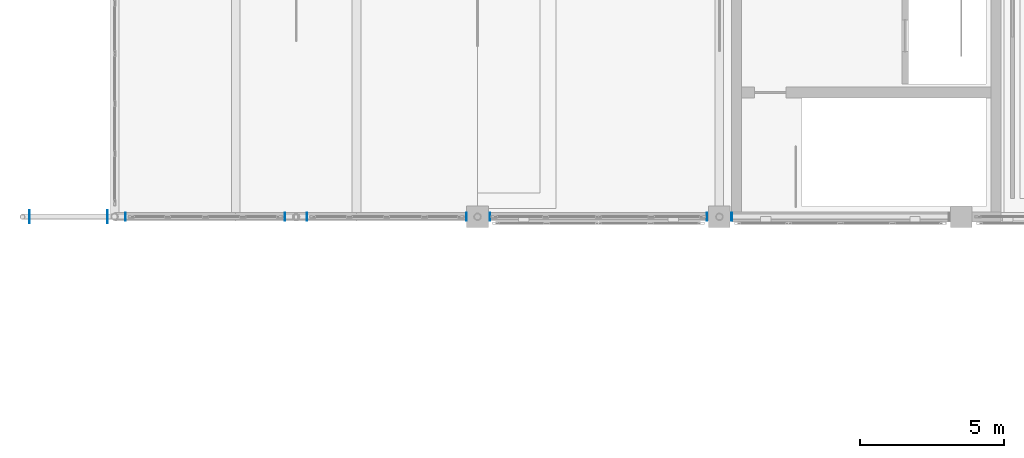
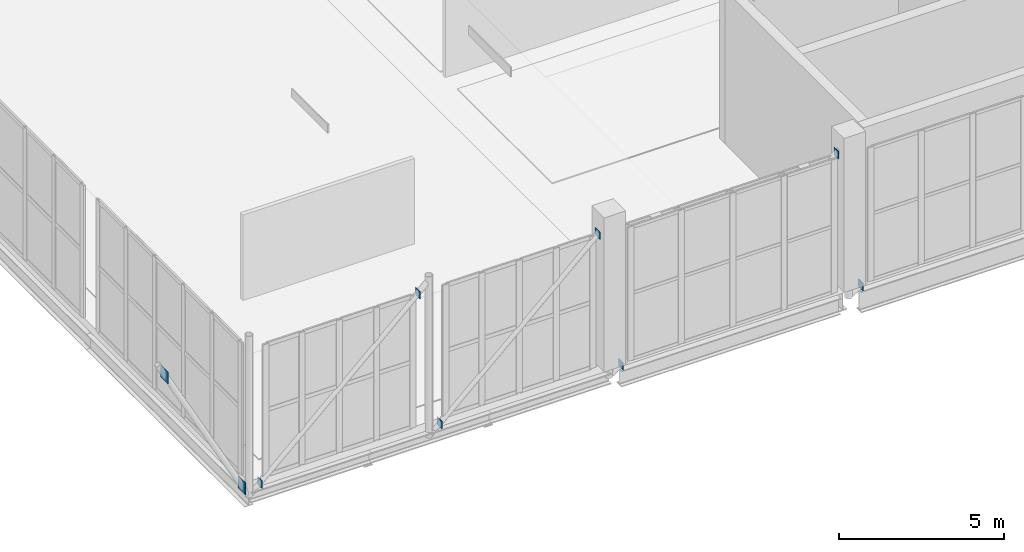
# One storey, part 34 of 49: 9 plates.
"""IFC4 building model written with IfcOpenShell, lengths in metres."""

from ifc_helpers import new_model, si_unit, direction, frame, origin, origin_2d, place, context, subcontext, project, spatial, rectangle, extrude, material, layer, layer_set, type_object, element, save


model = new_model("IFC4")

# Units and contexts
model_context = context("Model", 3, precision=1e-05, world=origin(), true_north=direction((0.0, 1.0)))
body_context = subcontext(model_context, "Body", "Model", "MODEL_VIEW")
ifc_project = project(units=[si_unit("LENGTHUNIT", "METRE"), si_unit("AREAUNIT", "SQUARE_METRE"), si_unit("VOLUMEUNIT", "CUBIC_METRE"), si_unit("PLANEANGLEUNIT", "RADIAN"), si_unit("MASSUNIT", "GRAM", prefix="KILO")], contexts=[model_context])

# Site, building, storey
site_placement = place(None, origin())
site = spatial("IfcSite", under=ifc_project, at=site_placement, CompositionType="ELEMENT")
building_placement = place(site_placement, origin())
building = spatial("IfcBuilding", under=site, at=building_placement, Name="Zulmaris Art Gallery", CompositionType="ELEMENT")
storey_placement = place(building_placement, frame((0.0, 0.0, 20.699951171875)))
storey = spatial("IfcBuildingStorey", under=building, at=storey_placement, Name="L04", CompositionType="ELEMENT", Elevation=20.699951171875)

# Plates
ifc_material = material(Name="Steel S355J2", Category="steel")
ifc_layer_1 = layer(ifc_material, 0.02001953125)
ifc_layer_set_1 = layer_set([ifc_layer_1], Name="Steel S355J2")
plate_type_1 = type_object("IfcPlateType", Name="PLT-CP01", PredefinedType="USERDEFINED", material=ifc_layer_set_1)
for number, where, z_axis, x_axis, name in (
    (1, (11.783447265625, 21.60009765625, -0.30615234375), (0.0, 0.0, 1.0), (1.0, 0.0, 0.0), "Hollow-section end cap plate 55"),
    (2, (17.31640625, 21.60009765625, 4.7587890625), (0.0, 0.0, 1.0), (1.0, 0.0, 0.0), "Hollow-section end cap plate 56"),
    (3, (18.08349609375, 21.60009765625, -0.30615234375), (0.0, 0.0, 1.0), (1.0, 0.0, 0.0), "Hollow-section end cap plate 57"),
    (4, (23.616455078125, 21.60009765625, 4.7587890625), (0.0, 0.0, 1.0), (1.0, 0.0, 0.0), "Hollow-section end cap plate 58"),
    (5, (24.4287109375, 21.60009765625, -0.36328125), (0.0, 0.0, 1.0), (1.0, 0.0, 0.0), "Hollow-section end cap plate 59"),
    (6, (31.97119140625, 21.60009765625, 4.81591796875), (0.0, 0.0, 1.0), (1.0, 0.0, 0.0), "Hollow-section end cap plate 60"),
    (7, (32.82861328125, 21.60009765625, -0.36328125), (0.0, 0.0, 1.0), (1.0, 0.0, 0.0), "Hollow-section end cap plate 61"),
):
    element("IfcPlate", number, at=place(storey_placement, frame(where, z_axis=z_axis, x_axis=x_axis)), inside=storey, type_object=plate_type_1, Name=name, ObjectType="CAP PLATE", PredefinedType="USERDEFINED", context=body_context, shape_type="SweptSolid", body=[
        extrude(rectangle(XDim=0.02001953125, YDim=0.280029296875, at=origin_2d()), origin(), (0.0, 0.0, 1.0), 0.280029296875),
    ])
ifc_layer_2 = layer(ifc_material, 0.02490234375)
ifc_layer_set_2 = layer_set([ifc_layer_2], Name="Steel S355J2")
plate_type_2 = type_object("IfcPlateType", Name="PLT-CP03", PredefinedType="USERDEFINED", material=ifc_layer_set_2)
for number, where, z_axis, x_axis, name in (
    (8, (8.44580078125, 21.60009765625, 4.771728515625), (0.0, 0.0, 1.0), (1.0, 0.0, 0.0), "Hollow-section end cap plate 53"),
    (9, (11.154296875, 21.60009765625, -0.279052734375), (0.0, 0.0, 1.0), (1.0, 0.0, 0.0), "Hollow-section end cap plate 54"),
):
    element("IfcPlate", number, at=place(storey_placement, frame(where, z_axis=z_axis, x_axis=x_axis)), inside=storey, type_object=plate_type_2, Name=name, ObjectType="CAP PLATE", PredefinedType="USERDEFINED", context=body_context, shape_type="SweptSolid", body=[
        extrude(rectangle(XDim=0.02490234375, YDim=0.43994140625, at=origin_2d()), origin(), (0.0, 0.0, 1.0), 0.43994140625),
    ])

save(model, "model.ifc")
